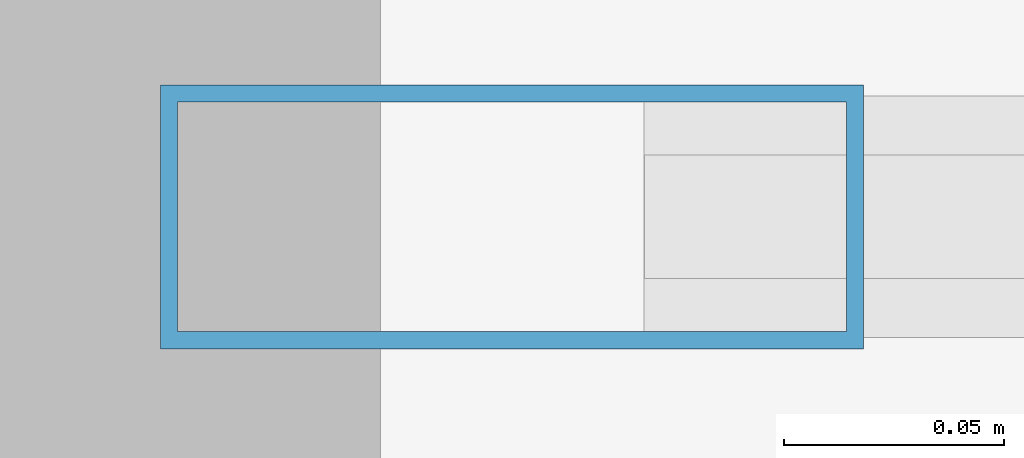
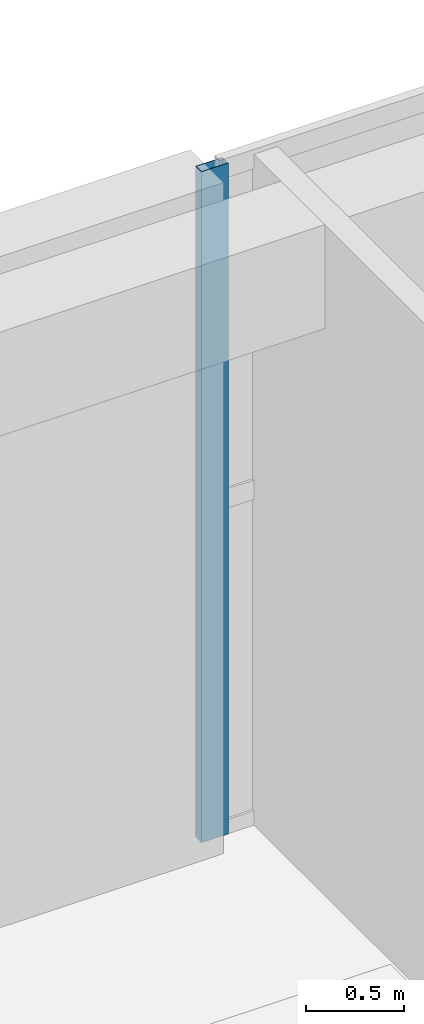
# One storey, part 13 of 28: 1 member, 1 element without a shape of its own.
"""IFC4 building model written with IfcOpenShell, lengths in metres."""

import ifcopenshell
import ifcopenshell.guid

model = None  # the IFC model being written
_history = None  # IfcOwnerHistory: only IFC2X3 demands one
_inside = {}  # id of a spatial element -> (the spatial element, [elements in it])
_under = {}  # id of a project, library or spatial element -> (it, [spatial elements below it])
_declared = {}  # id of a project -> (the project, [libraries it declares])
_typed = {}  # id of a type object -> (the type object, [elements of that type])
_made_of = {}  # id of a material, layer set ... -> (it, [elements and type objects made of it])


def new_model(schema):
    """Start an empty IFC model of exactly this schema.

    Asked for "IFC4X3", IfcOpenShell would pick the latest addendum, in which some entities
    have other attributes; the version numbers below select the first issue.
    IFC2X3 requires an IfcOwnerHistory on every rooted entity: one is made here for all.
    """
    global model, _history
    if schema == "IFC4X3":
        model = ifcopenshell.file(schema_version=(4, 3, 0, 0))
    else:
        model = ifcopenshell.file(schema=schema)
    _inside.clear()
    _under.clear()
    _declared.clear()
    _typed.clear()
    _made_of.clear()
    _history = None
    if model.schema == "IFC2X3":
        org = make("IfcOrganization", Name="unknown")
        user = make(
            "IfcPersonAndOrganization",
            ThePerson=make("IfcPerson", FamilyName="unknown"),
            TheOrganization=org,
        )
        app = make(
            "IfcApplication",
            ApplicationDeveloper=org,
            Version="unknown",
            ApplicationFullName="unknown",
            ApplicationIdentifier="unknown",
        )
        _history = make(
            "IfcOwnerHistory",
            OwningUser=user,
            OwningApplication=app,
            ChangeAction="ADDED",
            CreationDate=0,
        )
    return model


def make(cls, **values):
    """One entity of the class cls with the attributes given. An attribute that is None is left unset."""
    return model.create_entity(
        cls, **{name: value for name, value in values.items() if value is not None}
    )


def rooted(cls, **values):
    """An entity with a GlobalId (a new one), such as an element, a storey or a relation."""
    return make(cls, GlobalId=ifcopenshell.guid.new(), OwnerHistory=_history, **values)


def si_unit(unit_type, name, prefix=None):
    """IfcSIUnit, for example si_unit("LENGTHUNIT", "METRE", prefix="MILLI")."""
    return make("IfcSIUnit", UnitType=unit_type, Prefix=prefix, Name=name)


def assignment(units):
    """IfcUnitAssignment: the units of a project."""
    return None if units is None else make("IfcUnitAssignment", Units=units)


def point(xyz):
    """IfcCartesianPoint."""
    return None if xyz is None else make("IfcCartesianPoint", Coordinates=xyz)


def direction(xyz):
    """IfcDirection."""
    return None if xyz is None else make("IfcDirection", DirectionRatios=xyz)


def frame(location, z_axis=None, x_axis=None):
    """IfcAxis2Placement3D, a coordinate frame: its origin and axes. An axis left out is left unset."""
    return make(
        "IfcAxis2Placement3D",
        Location=point(location),
        Axis=direction(z_axis),
        RefDirection=direction(x_axis),
    )


def frame_2d(location, x_axis=None):
    """IfcAxis2Placement2D, a coordinate frame in the plane: its origin and x axis."""
    return make(
        "IfcAxis2Placement2D", Location=point(location), RefDirection=direction(x_axis)
    )


def origin():
    """The frame at (0, 0, 0) with its axes left unset."""
    return frame((0.0, 0.0, 0.0))


def origin_2d():
    """The frame at (0, 0) in the plane with its x axis left unset."""
    return frame_2d((0.0, 0.0))


def place(relative_to, where):
    """IfcLocalPlacement: puts the frame where relative to a parent placement (None: the world)."""
    return make(
        "IfcLocalPlacement", PlacementRelTo=relative_to, RelativePlacement=where
    )


def context(
    kind, dimensions, precision=None, world=None, true_north=None, identifier=None
):
    """IfcGeometricRepresentationContext, for example the 3D "Model" context."""
    return make(
        "IfcGeometricRepresentationContext",
        ContextIdentifier=identifier,
        ContextType=kind,
        CoordinateSpaceDimension=dimensions,
        Precision=precision,
        WorldCoordinateSystem=world,
        TrueNorth=true_north,
    )


def subcontext(parent, identifier, kind, view, scale=None):
    """IfcGeometricRepresentationSubContext, for example "Body" below "Model"."""
    return make(
        "IfcGeometricRepresentationSubContext",
        ContextIdentifier=identifier,
        ContextType=kind,
        ParentContext=parent,
        TargetScale=scale,
        TargetView=view,
    )


def project(units=None, contexts=None):
    """IfcProject with its units and contexts."""
    return rooted(
        "IfcProject",
        Name="project",
        RepresentationContexts=contexts,
        UnitsInContext=assignment(units),
    )


def spatial(cls, under=None, at=None, **own):
    """A site, building, storey or space (cls), placed at a placement, below another one or the project."""
    s = rooted(cls, ObjectPlacement=at, **own)
    if under is not None:
        _under.setdefault(under.id(), (under, []))[1].append(s)
    return s


def profile(cls, at=None, kind="AREA", **sizes):
    """A parametric profile (cls). Its sizes go by their IFC names, for example OverallWidth=200.0."""
    return make(cls, ProfileType=kind, Position=at, **sizes)


def hollow_rectangle(**sizes):
    """IfcRectangleHollowProfileDef."""
    return profile("IfcRectangleHollowProfileDef", **sizes)


def extrude(swept, where, along, depth):
    """IfcExtrudedAreaSolid: the profile swept, set in the frame where, extruded along a direction by depth."""
    return make(
        "IfcExtrudedAreaSolid",
        SweptArea=swept,
        Position=where,
        ExtrudedDirection=direction(along),
        Depth=depth,
    )


def shape(context_of_items, identifier, shape_type, items):
    """IfcShapeRepresentation: the items that make up one representation, for example the "Body"."""
    return make(
        "IfcShapeRepresentation",
        ContextOfItems=context_of_items,
        RepresentationIdentifier=identifier,
        RepresentationType=shape_type,
        Items=items,
    )


def source(mapping_origin, context_of_items, identifier, shape_type, items):
    """IfcRepresentationMap: a shape defined once, which mapped items show again and again."""
    return make(
        "IfcRepresentationMap",
        MappingOrigin=mapping_origin,
        MappedRepresentation=shape(context_of_items, identifier, shape_type, items),
    )


def transform(
    local_origin,
    x_axis=None,
    y_axis=None,
    z_axis=None,
    scale=None,
    scale2=None,
    scale3=None,
    uniform=True,
):
    """IfcCartesianTransformationOperator3D, or its non-uniform kind. x_axis, y_axis, z_axis: its Axis1, 2, 3."""
    if uniform:
        return make(
            "IfcCartesianTransformationOperator3D",
            Axis1=direction(x_axis),
            Axis2=direction(y_axis),
            LocalOrigin=point(local_origin),
            Scale=scale,
            Axis3=direction(z_axis),
        )
    return make(
        "IfcCartesianTransformationOperator3DnonUniform",
        Axis1=direction(x_axis),
        Axis2=direction(y_axis),
        LocalOrigin=point(local_origin),
        Scale=scale,
        Axis3=direction(z_axis),
        Scale2=scale2,
        Scale3=scale3,
    )


def mapped(mapping_source, mapping_target):
    """IfcMappedItem: shows the shape of a source again, moved by a transform."""
    return make(
        "IfcMappedItem", MappingSource=mapping_source, MappingTarget=mapping_target
    )


def material(Name=None, Category=None):
    """IfcMaterial."""
    return make("IfcMaterial", Name=Name, Category=Category)


def layer(
    of_material, thickness, ventilated=None, Name=None, Category=None, Priority=None
):
    """IfcMaterialLayer: one layer of a wall or slab, of a material (None: an air gap)."""
    return make(
        "IfcMaterialLayer",
        Material=of_material,
        LayerThickness=thickness,
        IsVentilated=ventilated,
        Name=Name,
        Category=Category,
        Priority=Priority,
    )


def layer_set(layers, Name=None):
    """IfcMaterialLayerSet."""
    return make("IfcMaterialLayerSet", MaterialLayers=layers, LayerSetName=Name)


def material_profile(
    of_material, cross_section, Name=None, Category=None, Priority=None
):
    """IfcMaterialProfile: a cross section and its material."""
    return make(
        "IfcMaterialProfile",
        Name=Name,
        Material=of_material,
        Profile=cross_section,
        Priority=Priority,
        Category=Category,
    )


def profile_set(profiles, Name=None, composite=None):
    """IfcMaterialProfileSet."""
    return make(
        "IfcMaterialProfileSet",
        Name=Name,
        MaterialProfiles=profiles,
        CompositeProfile=composite,
    )


def made_of(thing, what):
    """Note that an element or type object is made of a material, layer set ...; save() writes the relation."""
    if what is not None:
        _made_of.setdefault(what.id(), (what, []))[1].append(thing)
    return thing


def type_object(cls, material=None, **own):
    """A type object (cls), such as IfcWallType, which elements share."""
    return made_of(rooted(cls, **own), material)


def element(
    cls,
    number,
    at=None,
    inside=None,
    cuts=None,
    type_object=None,
    material=None,
    context=None,
    identifier="Body",
    shape_type=None,
    held_by="IfcProductDefinitionShape",
    body=None,
    shapes=None,
    **own,
):
    """One element of the class cls, such as IfcWall. Its Tag is "e" and its number.

    at: its placement. inside: the storey or other place that contains it. cuts: it is an
    opening in that element (IfcRelVoidsElement). A single representation is given by context,
    identifier, shape_type and body (its items); several are given by shapes. held_by: the class
    of the entity that holds the representations. save() writes the other relations.
    """
    e = rooted(cls, Tag="e%d" % number, ObjectPlacement=at, **own)
    if body is not None:
        shapes = [shape(context, identifier, shape_type, body)]
    if shapes is not None:
        e.Representation = make(held_by, Representations=shapes)
    if inside is not None:
        _inside.setdefault(inside.id(), (inside, []))[1].append(e)
    if cuts is not None:
        rooted(
            "IfcRelVoidsElement", RelatingBuildingElement=cuts, RelatedOpeningElement=e
        )
    if type_object is not None:
        _typed.setdefault(type_object.id(), (type_object, []))[1].append(e)
    return made_of(e, material)


def aggregate(whole, parts):
    """IfcRelAggregates: a whole, such as a stair, and the parts it consists of."""
    return rooted("IfcRelAggregates", RelatingObject=whole, RelatedObjects=parts)


def save(model, path):
    """Write the relations noted so far, then the file.

    IfcRelAggregates (storeys below a building ...), IfcRelContainedInSpatialStructure (elements
    in a storey), IfcRelDefinesByType, IfcRelAssociatesMaterial and IfcRelDeclares: one each for
    every whole, place, type object, material and project.
    """
    for whole, parts in _under.values():
        aggregate(whole, parts)
    for where, things in _inside.values():
        rooted(
            "IfcRelContainedInSpatialStructure",
            RelatedElements=things,
            RelatingStructure=where,
        )
    for kind, things in _typed.values():
        rooted("IfcRelDefinesByType", RelatedObjects=things, RelatingType=kind)
    for what, things in _made_of.values():
        rooted("IfcRelAssociatesMaterial", RelatedObjects=things, RelatingMaterial=what)
    for by, libraries in _declared.values():
        rooted("IfcRelDeclares", RelatingContext=by, RelatedDefinitions=libraries)
    model.write(path)


model = new_model("IFC4")

# Units and contexts
model_context = context("Model", 3, precision=1e-05, world=origin(), true_north=direction((0.0, 1.0)))
body_context = subcontext(model_context, "Body", "Model", "MODEL_VIEW")
ifc_project = project(units=[si_unit("LENGTHUNIT", "METRE"), si_unit("AREAUNIT", "SQUARE_METRE"), si_unit("VOLUMEUNIT", "CUBIC_METRE"), si_unit("PLANEANGLEUNIT", "RADIAN"), si_unit("MASSUNIT", "GRAM", prefix="KILO")], contexts=[model_context])

# Site, building, storey
site_placement = place(None, origin())
site = spatial("IfcSite", under=ifc_project, at=site_placement, CompositionType="ELEMENT")
building_placement = place(site_placement, origin())
building = spatial("IfcBuilding", under=site, at=building_placement, Name="Khoralis Quay Care Tower", CompositionType="ELEMENT")
storey_placement = place(building_placement, frame((0.0, 0.0, 9.0)))
storey = spatial("IfcBuildingStorey", under=building, at=storey_placement, Name="L02", CompositionType="ELEMENT", Elevation=9.0)

# Curtain wall, member
ifc_material = material(Name="Pale anodised aluminium", Category="aluminium")
ifc_layer = layer(ifc_material, 0.14990234375)
ifc_layer_set = layer_set([ifc_layer], Name="Pale anodised aluminium")
curtain_wall_type = type_object("IfcCurtainWallType", Name="CW-SYS-SCHOOL", PredefinedType="NOTDEFINED", material=ifc_layer_set)
curtain_wall_placement = place(storey_placement, origin())
curtain_wall = element("IfcCurtainWall", 1, at=curtain_wall_placement, inside=storey, type_object=curtain_wall_type, Name="L02 Unitised Curtain Wall CW-SCH-L02-E3", PredefinedType="NOTDEFINED")
ifc_material_profile = material_profile(ifc_material, hollow_rectangle(XDim=0.06005859375, YDim=0.159912109375, WallThickness=0.00390625, at=origin_2d()), Name="Pale anodised aluminium")
ifc_profile_set = profile_set([ifc_material_profile], Name="Pale anodised aluminium")
member_type = type_object("IfcMemberType", Name="CW-MUL-160", PredefinedType="MULLION", material=ifc_profile_set)
shared_shape = source(origin(), body_context, "Body", "SweptSolid", [
    extrude(hollow_rectangle(XDim=0.06005859375, YDim=0.159912109375, WallThickness=0.00390625, at=origin_2d()), origin(), (0.0, 0.0, 1.0), 4.199951171875),
])
member_placement = place(storey_placement, frame((80.097900390625, 41.830078125, 0.0), z_axis=(0.0, 0.0, 1.0), x_axis=(0.0, -1.0, 0.0)))
member = element("IfcMember", 2, at=member_placement, type_object=member_type, Name="CW6 mullion 4", PredefinedType="MULLION", context=body_context, shape_type="MappedRepresentation", body=[
    mapped(shared_shape, transform((0.0, 0.0, 0.0), scale=1.0)),
])
aggregate(curtain_wall, [member])

save(model, "model.ifc")
